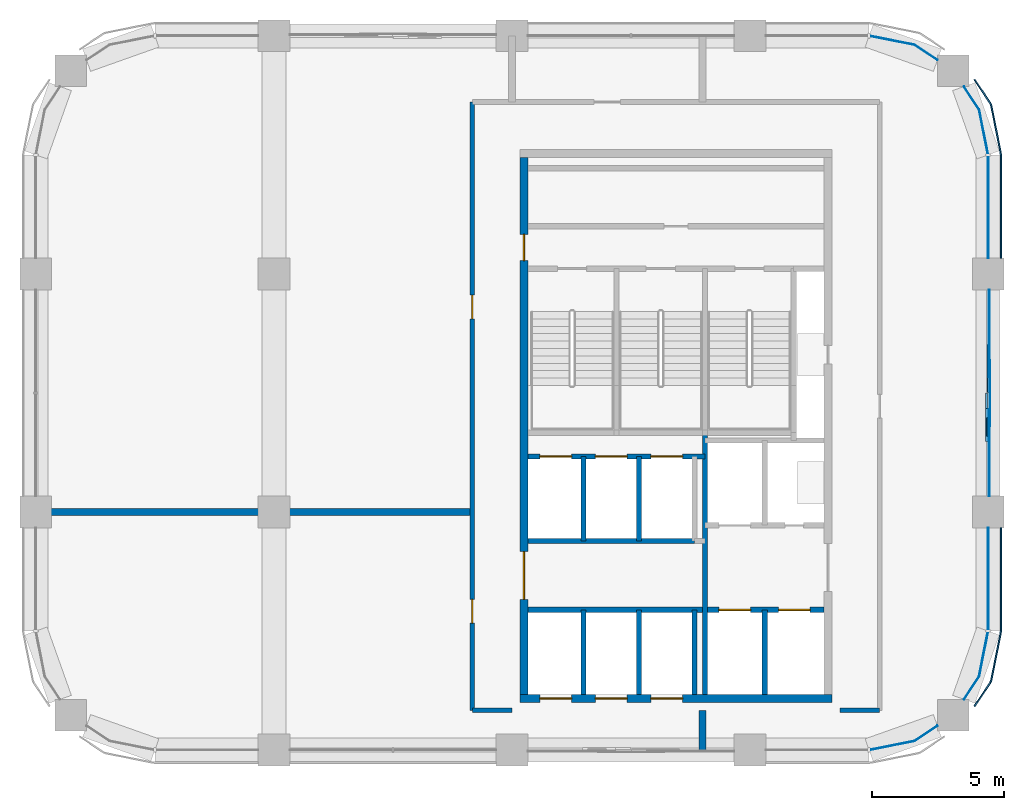
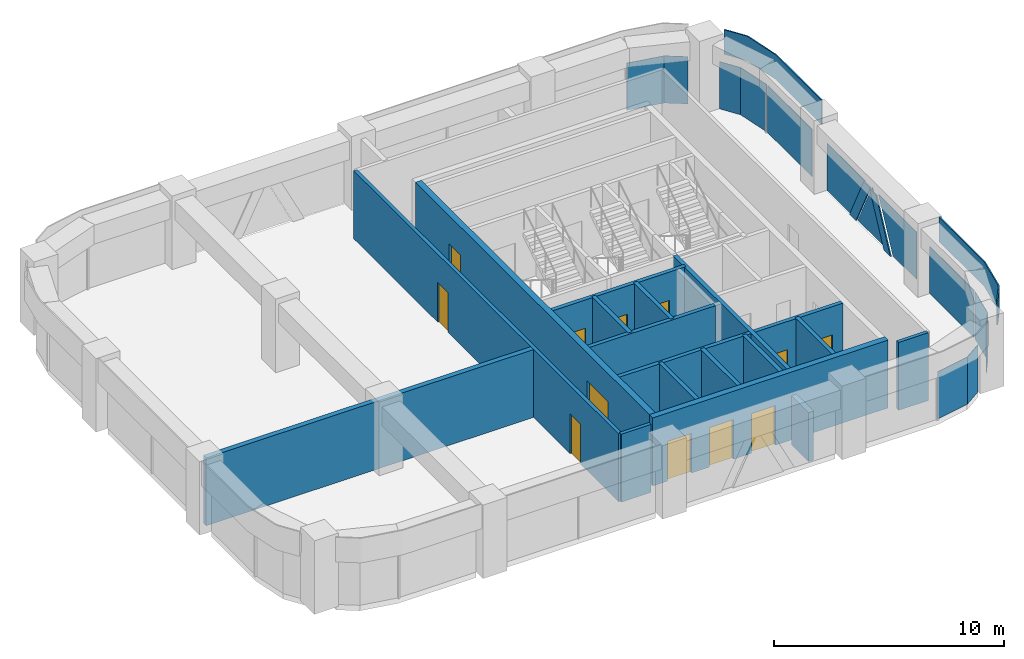
# One storey, part 6 of 9: 17 walls, 13 plates, 12 doors, 12 openings, 5 elements without a shape of their own.
"""IFC4 building model written with IfcOpenShell, lengths in metres."""

from ifc_helpers import new_model, si_unit, direction, frame, frame_2d, origin, origin_2d, place, context, subcontext, project, spatial, polyline, rectangle, outline, extrude, material, layer, layer_set, type_object, element, fill, aggregate, save


model = new_model("IFC4")

# Units and contexts
model_context = context("Model", 3, precision=1e-05, world=origin(), true_north=direction((0.0, 1.0)))
body_context = subcontext(model_context, "Body", "Model", "MODEL_VIEW")
ifc_project = project(units=[si_unit("LENGTHUNIT", "METRE"), si_unit("AREAUNIT", "SQUARE_METRE"), si_unit("VOLUMEUNIT", "CUBIC_METRE"), si_unit("PLANEANGLEUNIT", "RADIAN"), si_unit("MASSUNIT", "GRAM", prefix="KILO")], contexts=[model_context])

# Site, building, storey
site_placement = place(None, origin())
site = spatial("IfcSite", under=ifc_project, at=site_placement, CompositionType="ELEMENT")
building_placement = place(site_placement, origin())
building = spatial("IfcBuilding", under=site, at=building_placement, Name="Tessera Arch", CompositionType="ELEMENT")
storey_placement = place(building_placement, frame((0.0, 0.0, 305.10009765625)))
storey = spatial("IfcBuildingStorey", under=building, at=storey_placement, Name="L73", CompositionType="ELEMENT", Elevation=305.10009765625)

# Curtain wall, plates
ifc_material_1 = material(Name="CW2 curtain wall")
curtain_wall_type_1 = type_object("IfcCurtainWallType", Name="CW2 curtain wall", PredefinedType="NOTDEFINED", material=ifc_material_1)
curtain_wall_1_placement = place(storey_placement, origin())
curtain_wall_1 = element("IfcCurtainWall", 1, at=curtain_wall_1_placement, inside=storey, type_object=curtain_wall_type_1, Name="CW2 curtain wall E54.27/1 L73", PredefinedType="NOTDEFINED")
ifc_material_2 = material(Name="Clear low-e glass", Category="glass")
ifc_material_3 = material(Name="Clear low-e glass", Category="glass")
ifc_layer_1 = layer(ifc_material_3, 0.028076171875)
ifc_layer_set_1 = layer_set([ifc_layer_1], Name="CW2 glass panel")
plate_type_1 = type_object("IfcPlateType", Name="CW2 glass panel", PredefinedType="CURTAIN_PANEL", material=ifc_layer_set_1)
plate_1_placement = place(storey_placement, frame((54.0, 47.530029296875, 0.0), z_axis=(0.0, 0.0, 1.0), x_axis=(0.0, 1.0, 0.0)))
plate_1 = element("IfcPlate", 2, at=plate_1_placement, type_object=plate_type_1, material=ifc_material_2, Name="CW2 glass panel E54.27/1 1.1", PredefinedType="CURTAIN_PANEL", context=body_context, shape_type="SweptSolid", body=[
    extrude(rectangle(XDim=3.860107421875, YDim=0.028076171875, at=origin_2d()), origin(), (0.0, 0.0, 1.0), 2.5),
])
plate_2_placement = place(storey_placement, origin())
plate_2 = element("IfcPlate", 3, at=plate_2_placement, type_object=plate_type_1, material=ifc_material_2, Name="CW2 curved glass panel E54.27/1 2.1", PredefinedType="CURTAIN_PANEL", context=body_context, shape_type="SweptSolid", body=[
    extrude(outline(polyline([(53.644287109375, 51.216552734375), (53.978515625, 49.53662109375), (54.005859375, 49.5419921875), (53.670654296875, 51.2275390625), (53.094482421875, 52.08984375), (53.0712890625, 52.07421875), (53.644287109375, 51.216552734375)])), origin(), (0.0, 0.0, 1.0), 2.5),
])

# Curtain wall, plate
curtain_wall_2_placement = place(storey_placement, origin())
curtain_wall_2 = element("IfcCurtainWall", 4, at=curtain_wall_2_placement, inside=storey, type_object=curtain_wall_type_1, Name="CW2 curtain wall N54.18/0 L73", PredefinedType="NOTDEFINED")
plate_3_placement = place(storey_placement, origin())
plate_3 = element("IfcPlate", 5, at=plate_3_placement, type_object=plate_type_1, material=ifc_material_2, Name="CW2 curved glass panel N54.18/0 2.1", PredefinedType="CURTAIN_PANEL", context=body_context, shape_type="SweptSolid", body=[
    extrude(outline(polyline([(51.216552734375, 53.644287109375), (52.07421875, 53.0712890625), (52.08984375, 53.094482421875), (51.2275390625, 53.670654296875), (49.5419921875, 54.005859375), (49.53662109375, 53.978515625), (51.216552734375, 53.644287109375)])), origin(), (0.0, 0.0, 1.0), 2.5),
])
aggregate(curtain_wall_2, [plate_3])

curtain_wall_3_placement = place(storey_placement, origin())
curtain_wall_3 = element("IfcCurtainWall", 6, at=curtain_wall_3_placement, inside=storey, type_object=curtain_wall_type_1, Name="CW2 curtain wall S27.18/3 L73", PredefinedType="NOTDEFINED")
plate_4_placement = place(storey_placement, origin())
plate_4 = element("IfcPlate", 7, at=plate_4_placement, type_object=plate_type_1, material=ifc_material_2, Name="CW2 curved glass panel S27.18/3 2.1", PredefinedType="CURTAIN_PANEL", context=body_context, shape_type="SweptSolid", body=[
    extrude(outline(polyline([(51.216552734375, 27.355712890625), (49.53662109375, 27.021484375), (49.5419921875, 26.994140625), (51.2275390625, 27.329345703125), (52.08984375, 27.905517578125), (52.07421875, 27.9287109375), (51.216552734375, 27.355712890625)])), origin(), (0.0, 0.0, 1.0), 2.5),
])
aggregate(curtain_wall_3, [plate_4])

# Curtain wall, plates
curtain_wall_4_placement = place(storey_placement, origin())
curtain_wall_4 = element("IfcCurtainWall", 8, at=curtain_wall_4_placement, inside=storey, type_object=curtain_wall_type_1, Name="CW2 curtain wall E54.27/2 L73", PredefinedType="NOTDEFINED")
plate_5_placement = place(storey_placement, frame((54.0, 33.469970703125, 0.0), z_axis=(0.0, 0.0, 1.0), x_axis=(0.0, 1.0, 0.0)))
plate_5 = element("IfcPlate", 9, at=plate_5_placement, type_object=plate_type_1, material=ifc_material_2, Name="CW2 glass panel E54.27/2 1.1", PredefinedType="CURTAIN_PANEL", context=body_context, shape_type="SweptSolid", body=[
    extrude(rectangle(XDim=3.860107421875, YDim=0.028076171875, at=origin_2d()), origin(), (0.0, 0.0, 1.0), 2.5),
])
plate_6_placement = place(storey_placement, origin())
plate_6 = element("IfcPlate", 10, at=plate_6_placement, type_object=plate_type_1, material=ifc_material_2, Name="CW2 curved glass panel E54.27/2 2.1", PredefinedType="CURTAIN_PANEL", context=body_context, shape_type="SweptSolid", body=[
    extrude(outline(polyline([(53.644287109375, 29.783447265625), (53.0712890625, 28.92578125), (53.094482421875, 28.91015625), (53.670654296875, 29.7724609375), (54.005859375, 31.4580078125), (53.978515625, 31.46337890625), (53.644287109375, 29.783447265625)])), origin(), (0.0, 0.0, 1.0), 2.5),
])

# Plate
ifc_material_4 = material(Name="Pale anodised aluminium panel", Category="aluminium")
ifc_layer_2 = layer(ifc_material_4, 0.06005859375)
ifc_layer_set_2 = layer_set([ifc_layer_2], Name="CW2 spandrel panel")
plate_type_2 = type_object("IfcPlateType", Name="CW2 spandrel panel", PredefinedType="CURTAIN_PANEL", material=ifc_layer_set_2)
plate_7_placement = place(storey_placement, frame((0.0, 0.0, 2.599853515625)))
plate_7 = element("IfcPlate", 11, at=plate_7_placement, type_object=plate_type_2, Name="CW2 spandrel panel E54.27/1", PredefinedType="CURTAIN_PANEL", context=body_context, shape_type="SweptSolid", body=[
    extrude(outline(polyline([(54.449951171875, 49.499267578125), (54.449951171875, 45.60009765625), (54.510009765625, 45.60009765625), (54.510009765625, 49.500732421875), (54.507568359375, 49.550048828125), (54.500244140625, 49.598876953125), (54.157470703125, 51.322265625), (54.1455078125, 51.3701171875), (54.128662109375, 51.417236328125), (54.107421875, 51.462646484375), (54.08203125, 51.5048828125), (53.5068359375, 52.365234375), (53.45703125, 52.33203125), (54.03125, 51.47265625), (54.054443359375, 51.434326171875), (54.0732421875, 51.394287109375), (54.088134765625, 51.352783203125), (54.09912109375, 51.30908203125), (54.441162109375, 49.588623046875), (54.44775390625, 49.544189453125), (54.449951171875, 49.499267578125)])), origin(), (0.0, 0.0, 1.0), 1.300048828125),
])

aggregate(curtain_wall_1, [plate_1, plate_2, plate_7])

plate_8_placement = place(storey_placement, frame((0.0, 0.0, 2.599853515625)))
plate_8 = element("IfcPlate", 12, at=plate_8_placement, type_object=plate_type_2, Name="CW2 spandrel panel E54.27/2", PredefinedType="CURTAIN_PANEL", context=body_context, shape_type="SweptSolid", body=[
    extrude(outline(polyline([(54.03125, 29.52734375), (53.45703125, 28.66796875), (53.5068359375, 28.634765625), (54.08203125, 29.4951171875), (54.107421875, 29.537353515625), (54.128662109375, 29.582763671875), (54.1455078125, 29.6298828125), (54.157470703125, 29.677734375), (54.500244140625, 31.401123046875), (54.507568359375, 31.449951171875), (54.510009765625, 31.499267578125), (54.510009765625, 35.39990234375), (54.449951171875, 35.39990234375), (54.449951171875, 31.500732421875), (54.44775390625, 31.455810546875), (54.441162109375, 31.411376953125), (54.09912109375, 29.69091796875), (54.088134765625, 29.647216796875), (54.0732421875, 29.605712890625), (54.054443359375, 29.565673828125), (54.03125, 29.52734375)])), origin(), (0.0, 0.0, 1.0), 1.300048828125),
])

aggregate(curtain_wall_4, [plate_5, plate_6, plate_8])

# Curtain wall, plates
ifc_material_5 = material(Name="CW3 curtain wall")
curtain_wall_type_2 = type_object("IfcCurtainWallType", Name="CW3 curtain wall", PredefinedType="NOTDEFINED", material=ifc_material_5)
curtain_wall_5_placement = place(storey_placement, origin())
curtain_wall_5 = element("IfcCurtainWall", 13, at=curtain_wall_5_placement, inside=storey, type_object=curtain_wall_type_2, Name="CW3 curtain wall E54.27/0 L73", PredefinedType="NOTDEFINED")
ifc_material_6 = material(Name="Pale anodised aluminium panel", Category="aluminium")
ifc_layer_3 = layer(ifc_material_6, 0.06005859375)
ifc_layer_set_3 = layer_set([ifc_layer_3], Name="CW3 diagonal panel")
plate_type_3 = type_object("IfcPlateType", Name="CW3 diagonal panel", PredefinedType="CURTAIN_PANEL", material=ifc_layer_set_3)
plate_9_placement = place(storey_placement, frame((54.030029296875, 41.082275390625, 2.5), z_axis=(1.0, 0.0, 0.0), x_axis=(0.0, -1.0, 0.0)))
plate_9 = element("IfcPlate", 14, at=plate_9_placement, type_object=plate_type_3, Name="CW3 diagonal panel E54.27/0 1", PredefinedType="CURTAIN_PANEL", context=body_context, shape_type="SweptSolid", body=[
    extrude(outline(polyline([(0.0, 0.0), (0.564453125, 0.0), (-0.685546875, 2.5), (-1.25, 2.5), (0.0, 0.0)])), origin(), (0.0, 0.0, -1.0), 0.06005859375),
])
plate_10_placement = place(storey_placement, frame((53.969970703125, 40.482177734375, 2.5), z_axis=(1.0, 0.0, 0.0), x_axis=(0.0, -1.0, 0.0)))
plate_10 = element("IfcPlate", 15, at=plate_10_placement, type_object=plate_type_3, Name="CW3 diagonal panel E54.27/0 2", PredefinedType="CURTAIN_PANEL", context=body_context, shape_type="SweptSolid", body=[
    extrude(outline(polyline([(0.0, 0.0), (0.564453125, 0.0), (1.814453125, 2.5), (1.25, 2.5), (0.0, 0.0)])), origin(), (0.0, 0.0, -1.0), 0.06005859375),
])
ifc_material_7 = material(Name="Clear low-e glass", Category="glass")
ifc_layer_4 = layer(ifc_material_7, 0.028076171875)
ifc_layer_set_4 = layer_set([ifc_layer_4], Name="CW3 glass panel")
plate_type_4 = type_object("IfcPlateType", Name="CW3 glass panel", PredefinedType="CURTAIN_PANEL", material=ifc_layer_set_4)
plate_11_placement = place(storey_placement, frame((54.05810546875, 36.60009765625, 0.0), z_axis=(1.0, 0.0, 0.0), x_axis=(0.0, 1.0, 0.0)))
plate_11 = element("IfcPlate", 16, at=plate_11_placement, type_object=plate_type_4, material=ifc_material_2, Name="CW3 triangulated glass panel E54.27/0 1", PredefinedType="CURTAIN_PANEL", context=body_context, shape_type="SweptSolid", body=[
    extrude(outline(polyline([(0.0, 0.0), (2.067626953125, 0.0), (3.317626953125, 2.5), (0.0, 2.5), (0.0, 0.0)])), origin(), (0.0, 0.0, -1.0), 0.028076171875),
])
plate_12_placement = place(storey_placement, frame((54.0859375, 40.517822265625, 2.5), z_axis=(1.0, 0.0, 0.0), x_axis=(0.0, -1.0, 0.0)))
plate_12 = element("IfcPlate", 17, at=plate_12_placement, type_object=plate_type_4, material=ifc_material_2, Name="CW3 triangulated glass panel E54.27/0 2", PredefinedType="CURTAIN_PANEL", context=body_context, shape_type="SweptSolid", body=[
    extrude(outline(polyline([(0.0, 0.0), (0.03564453125, 0.0), (1.28564453125, 2.5), (-1.25, 2.5), (0.0, 0.0)])), origin(), (0.0, 0.0, -1.0), 0.028076171875),
])
plate_13_placement = place(storey_placement, frame((54.05810546875, 44.39990234375, 2.5), z_axis=(1.0, 0.0, 0.0), x_axis=(0.0, -1.0, 0.0)))
plate_13 = element("IfcPlate", 18, at=plate_13_placement, type_object=plate_type_4, material=ifc_material_2, Name="CW3 triangulated glass panel E54.27/0 3", PredefinedType="CURTAIN_PANEL", context=body_context, shape_type="SweptSolid", body=[
    extrude(outline(polyline([(0.0, 0.0), (3.317626953125, 0.0), (2.067626953125, 2.5), (0.0, 2.5), (0.0, 0.0)])), origin(), (0.0, 0.0, -1.0), 0.028076171875),
])
aggregate(curtain_wall_5, [plate_11, plate_12, plate_13, plate_9, plate_10])

# Wall, openings, doors
ifc_material_8 = material(Name="Concrete C50/60", Category="concrete")
ifc_layer_5 = layer(ifc_material_8, 0.300048828125)
ifc_layer_set_5 = layer_set([ifc_layer_5], Name="Core shell wall 300 C50-60")
wall_type_1 = type_object("IfcWallType", Name="Core shell wall 300 C50-60", PredefinedType="SHEAR", material=ifc_layer_set_5)
wall_1_placement = place(storey_placement, frame((36.300048828125, 28.949951171875, 0.0), z_axis=(0.0, 0.0, 1.0), x_axis=(1.0, 0.0, 0.0)))
wall_1 = element("IfcWall", 19, at=wall_1_placement, inside=storey, type_object=wall_type_1, Name="L73 C1 core wall S", PredefinedType="SHEAR", context=body_context, shape_type="SweptSolid", body=[
    extrude(rectangle(XDim=11.800048828125, YDim=0.300048828125, at=frame_2d((5.89990234375, 0.0))), origin(), (0.0, 0.0, 1.0), 3.599853515625),
])
opening_1_placement = place(wall_1_placement, frame((0.75, 0.0, 0.0)))
opening_1 = element("IfcOpeningElement", 20, at=opening_1_placement, cuts=wall_1, Name="Opening L73-C01", PredefinedType="OPENING", context=body_context, shape_type="SweptSolid", body=[
    extrude(rectangle(XDim=1.199951171875, YDim=2.10009765625, at=frame_2d((0.60009765625, 1.050048828125))), frame((0.0, 0.159912109375, 0.0), z_axis=(0.0, -1.0, 0.0), x_axis=(1.0, 0.0, 0.0)), (0.0, 0.0, 1.0), 0.320068359375),
])
opening_2_placement = place(wall_1_placement, frame((2.85009765625, 0.0, 0.0)))
opening_2 = element("IfcOpeningElement", 21, at=opening_2_placement, cuts=wall_1, Name="Opening L73-C03", PredefinedType="OPENING", context=body_context, shape_type="SweptSolid", body=[
    extrude(rectangle(XDim=1.199951171875, YDim=2.10009765625, at=frame_2d((0.60009765625, 1.050048828125))), frame((0.0, 0.159912109375, 0.0), z_axis=(0.0, -1.0, 0.0), x_axis=(1.0, 0.0, 0.0)), (0.0, 0.0, 1.0), 0.320068359375),
])
opening_3_placement = place(wall_1_placement, frame((4.949951171875, 0.0, 0.0)))
opening_3 = element("IfcOpeningElement", 22, at=opening_3_placement, cuts=wall_1, Name="Opening L73-C05", PredefinedType="OPENING", context=body_context, shape_type="SweptSolid", body=[
    extrude(rectangle(XDim=1.199951171875, YDim=2.10009765625, at=frame_2d((0.60009765625, 1.050048828125))), frame((0.0, 0.159912109375, 0.0), z_axis=(0.0, -1.0, 0.0), x_axis=(1.0, 0.0, 0.0)), (0.0, 0.0, 1.0), 0.320068359375),
])
ifc_material_9 = material(Name="Stainless steel AISI 304", Category="steel")
door_type_1 = type_object("IfcDoorType", Name="Sliding landing door 1200 x 2100", OperationType="SLIDING_TO_LEFT", PredefinedType="DOOR", material=ifc_material_9)
door_1_placement = place(opening_1_placement, origin())
door_1 = element("IfcDoor", 23, at=door_1_placement, inside=storey, type_object=door_type_1, Name="L73 HR1 lift landing door C01 type LD", OperationType="SLIDING_TO_LEFT", OverallHeight=2.10009765625, OverallWidth=1.199951171875, PredefinedType="DOOR", context=body_context, shape_type="SweptSolid", body=[
    extrude(rectangle(XDim=1.199951171875, YDim=2.10009765625, at=frame_2d((0.60009765625, 1.050048828125))), frame((0.0, 0.02490234375, 0.0), z_axis=(0.0, -1.0, 0.0), x_axis=(1.0, 0.0, 0.0)), (0.0, 0.0, 1.0), 0.050048828125),
])
fill(opening_1, door_1)
door_2_placement = place(opening_2_placement, origin())
door_2 = element("IfcDoor", 24, at=door_2_placement, inside=storey, type_object=door_type_1, Name="L73 HR2 lift landing door C03 type LD", OperationType="SLIDING_TO_LEFT", OverallHeight=2.10009765625, OverallWidth=1.199951171875, PredefinedType="DOOR", context=body_context, shape_type="SweptSolid", body=[
    extrude(rectangle(XDim=1.199951171875, YDim=2.10009765625, at=frame_2d((0.60009765625, 1.050048828125))), frame((0.0, 0.02490234375, 0.0), z_axis=(0.0, -1.0, 0.0), x_axis=(1.0, 0.0, 0.0)), (0.0, 0.0, 1.0), 0.050048828125),
])
fill(opening_2, door_2)
door_3_placement = place(opening_3_placement, origin())
door_3 = element("IfcDoor", 25, at=door_3_placement, inside=storey, type_object=door_type_1, Name="L73 HR3 lift landing door C05 type LD", OperationType="SLIDING_TO_LEFT", OverallHeight=2.10009765625, OverallWidth=1.199951171875, PredefinedType="DOOR", context=body_context, shape_type="SweptSolid", body=[
    extrude(rectangle(XDim=1.199951171875, YDim=2.10009765625, at=frame_2d((0.60009765625, 1.050048828125))), frame((0.0, 0.02490234375, 0.0), z_axis=(0.0, -1.0, 0.0), x_axis=(1.0, 0.0, 0.0)), (0.0, 0.0, 1.0), 0.050048828125),
])
fill(opening_3, door_3)

wall_2_placement = place(storey_placement, frame((36.449951171875, 29.10009765625, 0.0), z_axis=(0.0, 0.0, 1.0), x_axis=(0.0, 1.0, 0.0)))
wall_2 = element("IfcWall", 26, at=wall_2_placement, inside=storey, type_object=wall_type_1, Name="L73 C1 core wall W", PredefinedType="SHEAR", context=body_context, shape_type="SweptSolid", body=[
    extrude(rectangle(XDim=20.2998046875, YDim=0.300048828125, at=frame_2d((10.14990234375, 0.0))), origin(), (0.0, 0.0, 1.0), 3.599853515625),
])
opening_4_placement = place(wall_2_placement, frame((3.60009765625, 0.0, 0.0)))
opening_4 = element("IfcOpeningElement", 27, at=opening_4_placement, cuts=wall_2, Name="Opening L73-C10", PredefinedType="OPENING", context=body_context, shape_type="SweptSolid", body=[
    extrude(rectangle(XDim=1.800048828125, YDim=2.10009765625, at=frame_2d((0.89990234375, 1.050048828125))), frame((0.0, 0.159912109375, 0.0), z_axis=(0.0, -1.0, 0.0), x_axis=(1.0, 0.0, 0.0)), (0.0, 0.0, 1.0), 0.320068359375),
])
opening_5_placement = place(wall_2_placement, frame((16.39990234375, 0.0, 0.0)))
opening_5 = element("IfcOpeningElement", 28, at=opening_5_placement, cuts=wall_2, Name="Opening L73-C17", PredefinedType="OPENING", context=body_context, shape_type="SweptSolid", body=[
    extrude(rectangle(XDim=1.0, YDim=2.10009765625, at=frame_2d((0.5, 1.050048828125))), frame((0.0, 0.159912109375, 0.0), z_axis=(0.0, -1.0, 0.0), x_axis=(1.0, 0.0, 0.0)), (0.0, 0.0, 1.0), 0.320068359375),
])
ifc_material_10 = material(Name="Steel door leaf", Category="steel")
door_type_2 = type_object("IfcDoorType", Name="Corridor door FD60 1000 x 2100", OperationType="SINGLE_SWING_LEFT", PredefinedType="DOOR", material=ifc_material_10)
door_4_placement = place(opening_5_placement, origin())
door_4 = element("IfcDoor", 29, at=door_4_placement, inside=storey, type_object=door_type_2, Name="L73 C1 door 17 C17 type D12", OperationType="SINGLE_SWING_RIGHT", OverallHeight=2.10009765625, OverallWidth=1.0, PredefinedType="DOOR", context=body_context, shape_type="SweptSolid", body=[
    extrude(rectangle(XDim=1.0, YDim=2.10009765625, at=frame_2d((0.5, 1.050048828125))), frame((0.0, 0.02490234375, 0.0), z_axis=(0.0, -1.0, 0.0), x_axis=(1.0, 0.0, 0.0)), (0.0, 0.0, 1.0), 0.050048828125),
])
fill(opening_5, door_4)
ifc_material_11 = material(Name="Glazed steel door leaf", Category="steel")
door_type_3 = type_object("IfcDoorType", Name="Lobby double door FD30S 1800 x 2100", OperationType="DOUBLE_DOOR_SINGLE_SWING", PredefinedType="DOOR", material=ifc_material_11)
door_5_placement = place(opening_4_placement, origin())
door_5 = element("IfcDoor", 30, at=door_5_placement, inside=storey, type_object=door_type_3, Name="L73 C1 door 10 C10 type D06", OperationType="DOUBLE_DOOR_SINGLE_SWING", OverallHeight=2.10009765625, OverallWidth=1.800048828125, PredefinedType="DOOR", context=body_context, shape_type="SweptSolid", body=[
    extrude(rectangle(XDim=1.800048828125, YDim=2.10009765625, at=frame_2d((0.89990234375, 1.050048828125))), frame((0.0, 0.02490234375, 0.0), z_axis=(0.0, -1.0, 0.0), x_axis=(1.0, 0.0, 0.0)), (0.0, 0.0, 1.0), 0.050048828125),
])
fill(opening_4, door_5)

# Walls
ifc_material_12 = material(Name="Gypsum board on deep steel stud with mineral wool", Category="steel")
ifc_layer_6 = layer(ifc_material_12, 0.175048828125)
ifc_layer_set_6 = layer_set([ifc_layer_6], Name="Corridor wall 175 EI 60")
wall_type_2 = type_object("IfcWallType", Name="Corridor wall 175 EI 60", PredefinedType="PARTITIONING", material=ifc_layer_set_6)
for number, where, z_axis, x_axis, name in (
    (31, (34.5, 28.5, 0.0), (0.0, 0.0, 1.0), (1.0, 0.0, 0.0), "L73 partition 1"),
    (32, (48.39990234375, 28.5, 0.0), (0.0, 0.0, 1.0), (1.0, 0.0, 0.0), "L73 partition 2"),
):
    element("IfcWall", number, at=place(storey_placement, frame(where, z_axis=z_axis, x_axis=x_axis)), inside=storey, type_object=wall_type_2, Name=name, PredefinedType="PARTITIONING", context=body_context, shape_type="SweptSolid", body=[
        extrude(rectangle(XDim=1.5, YDim=0.175048828125, at=frame_2d((0.75, 0.0))), origin(), (0.0, 0.0, 1.0), 3.599853515625),
    ])

# Wall, openings, doors
wall_3_placement = place(storey_placement, frame((34.5, 28.5, 0.0), z_axis=(0.0, 0.0, 1.0), x_axis=(0.0, 1.0, 0.0)))
wall_3 = element("IfcWall", 33, at=wall_3_placement, inside=storey, type_object=wall_type_2, Name="L73 partition 4", PredefinedType="PARTITIONING", context=body_context, shape_type="SweptSolid", body=[
    extrude(rectangle(XDim=23.0, YDim=0.175048828125, at=frame_2d((11.5, 0.0))), origin(), (0.0, 0.0, 1.0), 3.599853515625),
])
opening_6_placement = place(wall_3_placement, frame((3.300048828125, 0.0, 0.0)))
opening_6 = element("IfcOpeningElement", 34, at=opening_6_placement, cuts=wall_3, Name="Opening L73-D001", PredefinedType="OPENING", context=body_context, shape_type="SweptSolid", body=[
    extrude(rectangle(XDim=0.89990234375, YDim=2.10009765625, at=frame_2d((0.449951171875, 1.050048828125))), frame((0.0, 0.097412109375, 0.0), z_axis=(0.0, -1.0, 0.0), x_axis=(1.0, 0.0, 0.0)), (0.0, 0.0, 1.0), 0.195068359375),
])
opening_7_placement = place(wall_3_placement, frame((14.800048828125, 0.0, 0.0)))
opening_7 = element("IfcOpeningElement", 35, at=opening_7_placement, cuts=wall_3, Name="Opening L73-D003", PredefinedType="OPENING", context=body_context, shape_type="SweptSolid", body=[
    extrude(rectangle(XDim=0.89990234375, YDim=2.10009765625, at=frame_2d((0.449951171875, 1.050048828125))), frame((0.0, 0.097412109375, 0.0), z_axis=(0.0, -1.0, 0.0), x_axis=(1.0, 0.0, 0.0)), (0.0, 0.0, 1.0), 0.195068359375),
])
ifc_material_13 = material(Name="Timber door leaf", Category="wood")
door_type_4 = type_object("IfcDoorType", Name="Room door 900 x 2100", OperationType="SINGLE_SWING_LEFT", PredefinedType="DOOR", material=ifc_material_13)
door_6_placement = place(opening_6_placement, origin())
door_6 = element("IfcDoor", 36, at=door_6_placement, inside=storey, type_object=door_type_4, Name="L73 door D001 type D01", OperationType="SINGLE_SWING_LEFT", OverallHeight=2.10009765625, OverallWidth=0.89990234375, PredefinedType="DOOR", context=body_context, shape_type="SweptSolid", body=[
    extrude(rectangle(XDim=0.89990234375, YDim=2.10009765625, at=frame_2d((0.449951171875, 1.050048828125))), frame((0.0, 0.02490234375, 0.0), z_axis=(0.0, -1.0, 0.0), x_axis=(1.0, 0.0, 0.0)), (0.0, 0.0, 1.0), 0.050048828125),
])
fill(opening_6, door_6)
door_7_placement = place(opening_7_placement, origin())
door_7 = element("IfcDoor", 37, at=door_7_placement, inside=storey, type_object=door_type_4, Name="L73 door D003 type D01", OperationType="SINGLE_SWING_LEFT", OverallHeight=2.10009765625, OverallWidth=0.89990234375, PredefinedType="DOOR", context=body_context, shape_type="SweptSolid", body=[
    extrude(rectangle(XDim=0.89990234375, YDim=2.10009765625, at=frame_2d((0.449951171875, 1.050048828125))), frame((0.0, 0.02490234375, 0.0), z_axis=(0.0, -1.0, 0.0), x_axis=(1.0, 0.0, 0.0)), (0.0, 0.0, 1.0), 0.050048828125),
])
fill(opening_7, door_7)

# Walls
ifc_material_14 = material(Name="Double gypsum board on twin steel stud with acoustic mineral wool", Category="steel")
ifc_layer_7 = layer(ifc_material_14, 0.25)
ifc_layer_set_7 = layer_set([ifc_layer_7], Name="Party wall 250 EI 60")
wall_type_3 = type_object("IfcWallType", Name="Party wall 250 EI 60", PredefinedType="PARTITIONING", material=ifc_layer_set_7)
wall_4_placement = place(storey_placement, frame((18.0, 36.0, 0.0), z_axis=(0.0, 0.0, 1.0), x_axis=(1.0, 0.0, 0.0)))
element("IfcWall", 38, at=wall_4_placement, inside=storey, type_object=wall_type_3, Name="L73 partition 6", PredefinedType="PARTITIONING", context=body_context, shape_type="SweptSolid", body=[
    extrude(rectangle(XDim=16.5, YDim=0.25, at=frame_2d((8.25, 0.0))), origin(), (0.0, 0.0, 1.0), 3.599853515625),
])
wall_5_placement = place(storey_placement, frame((43.199951171875, 27.0, 0.0), z_axis=(0.0, 0.0, 1.0), x_axis=(0.0, 1.0, 0.0)))
element("IfcWall", 39, at=wall_5_placement, inside=storey, type_object=wall_type_3, Name="L73 partition 8", PredefinedType="PARTITIONING", context=body_context, shape_type="SweptSolid", body=[
    extrude(rectangle(XDim=1.5, YDim=0.25, at=frame_2d((0.75, 0.0))), origin(), (0.0, 0.0, 1.0), 2.599853515625),
])
ifc_material_15 = material(Name="Concrete C40/50", Category="concrete")
ifc_layer_8 = layer(ifc_material_15, 0.199951171875)
ifc_layer_set_8 = layer_set([ifc_layer_8], Name="Shaft wall 200 EI 120")
wall_type_4 = type_object("IfcWallType", Name="Shaft wall 200 EI 120", PredefinedType="SOLIDWALL", material=ifc_layer_set_8)
wall_6_placement = place(storey_placement, frame((38.699951171875, 29.10009765625, 0.0), z_axis=(0.0, 0.0, 1.0), x_axis=(0.0, 1.0, 0.0)))
element("IfcWall", 40, at=wall_6_placement, inside=storey, type_object=wall_type_4, Name="L73 C1 shaft wall 1", PredefinedType="SOLIDWALL", context=body_context, shape_type="SweptSolid", body=[
    extrude(rectangle(XDim=3.199951171875, YDim=0.199951171875, at=frame_2d((1.60009765625, 0.0))), origin(), (0.0, 0.0, 1.0), 3.599853515625),
])
wall_7_placement = place(storey_placement, frame((38.699951171875, 34.89990234375, 0.0), z_axis=(0.0, 0.0, 1.0), x_axis=(0.0, 1.0, 0.0)))
element("IfcWall", 41, at=wall_7_placement, inside=storey, type_object=wall_type_4, Name="L73 C1 shaft wall 2", PredefinedType="SOLIDWALL", context=body_context, shape_type="SweptSolid", body=[
    extrude(rectangle(XDim=3.2001953125, YDim=0.199951171875, at=frame_2d((1.60009765625, 0.0))), origin(), (0.0, 0.0, 1.0), 3.599853515625),
])
wall_8_placement = place(storey_placement, frame((40.800048828125, 29.10009765625, 0.0), z_axis=(0.0, 0.0, 1.0), x_axis=(0.0, 1.0, 0.0)))
element("IfcWall", 42, at=wall_8_placement, inside=storey, type_object=wall_type_4, Name="L73 C1 shaft wall 5", PredefinedType="SOLIDWALL", context=body_context, shape_type="SweptSolid", body=[
    extrude(rectangle(XDim=3.199951171875, YDim=0.199951171875, at=frame_2d((1.60009765625, 0.0))), origin(), (0.0, 0.0, 1.0), 3.599853515625),
])
wall_9_placement = place(storey_placement, frame((40.800048828125, 34.89990234375, 0.0), z_axis=(0.0, 0.0, 1.0), x_axis=(0.0, 1.0, 0.0)))
element("IfcWall", 43, at=wall_9_placement, inside=storey, type_object=wall_type_4, Name="L73 C1 shaft wall 6", PredefinedType="SOLIDWALL", context=body_context, shape_type="SweptSolid", body=[
    extrude(rectangle(XDim=3.2001953125, YDim=0.199951171875, at=frame_2d((1.60009765625, 0.0))), origin(), (0.0, 0.0, 1.0), 3.599853515625),
])
wall_10_placement = place(storey_placement, frame((42.89990234375, 29.10009765625, 0.0), z_axis=(0.0, 0.0, 1.0), x_axis=(0.0, 1.0, 0.0)))
element("IfcWall", 44, at=wall_10_placement, inside=storey, type_object=wall_type_4, Name="L73 C1 shaft wall 7", PredefinedType="SOLIDWALL", context=body_context, shape_type="SweptSolid", body=[
    extrude(rectangle(XDim=3.199951171875, YDim=0.199951171875, at=frame_2d((1.60009765625, 0.0))), origin(), (0.0, 0.0, 1.0), 3.599853515625),
])
wall_11_placement = place(storey_placement, frame((43.300048828125, 29.10009765625, 0.0), z_axis=(0.0, 0.0, 1.0), x_axis=(0.0, 1.0, 0.0)))
element("IfcWall", 45, at=wall_11_placement, inside=storey, type_object=wall_type_4, Name="L73 C1 shaft wall 9", PredefinedType="SOLIDWALL", context=body_context, shape_type="SweptSolid", body=[
    extrude(rectangle(XDim=9.89990234375, YDim=0.199951171875, at=frame_2d((4.949951171875, 0.0))), origin(), (0.0, 0.0, 1.0), 3.599853515625),
])
wall_12_placement = place(storey_placement, frame((45.550048828125, 29.10009765625, 0.0), z_axis=(0.0, 0.0, 1.0), x_axis=(0.0, 1.0, 0.0)))
element("IfcWall", 46, at=wall_12_placement, inside=storey, type_object=wall_type_4, Name="L73 C1 shaft wall 12", PredefinedType="SOLIDWALL", context=body_context, shape_type="SweptSolid", body=[
    extrude(rectangle(XDim=3.199951171875, YDim=0.199951171875, at=frame_2d((1.60009765625, 0.0))), origin(), (0.0, 0.0, 1.0), 3.599853515625),
])

# Wall, openings, doors
wall_13_placement = place(storey_placement, frame((36.60009765625, 32.300048828125, 0.0), z_axis=(0.0, 0.0, 1.0), x_axis=(1.0, 0.0, 0.0)))
wall_13 = element("IfcWall", 47, at=wall_13_placement, inside=storey, type_object=wall_type_4, Name="L73 C1 shaft wall 17", PredefinedType="SOLIDWALL", context=body_context, shape_type="SweptSolid", body=[
    extrude(rectangle(XDim=11.199951171875, YDim=0.199951171875, at=frame_2d((5.60009765625, 0.0))), origin(), (0.0, 0.0, 1.0), 3.599853515625),
])
opening_8_placement = place(wall_13_placement, frame((7.22509765625, 0.0, 0.0)))
opening_8 = element("IfcOpeningElement", 48, at=opening_8_placement, cuts=wall_13, Name="Opening L73-C07", PredefinedType="OPENING", context=body_context, shape_type="SweptSolid", body=[
    extrude(rectangle(XDim=1.199951171875, YDim=2.10009765625, at=frame_2d((0.60009765625, 1.050048828125))), frame((0.0, 0.10986328125, 0.0), z_axis=(0.0, -1.0, 0.0), x_axis=(1.0, 0.0, 0.0)), (0.0, 0.0, 1.0), 0.219970703125),
])
opening_9_placement = place(wall_13_placement, frame((9.47509765625, 0.0, 0.0)))
opening_9 = element("IfcOpeningElement", 49, at=opening_9_placement, cuts=wall_13, Name="Opening L73-C08", PredefinedType="OPENING", context=body_context, shape_type="SweptSolid", body=[
    extrude(rectangle(XDim=1.199951171875, YDim=2.10009765625, at=frame_2d((0.60009765625, 1.050048828125))), frame((0.0, 0.10986328125, 0.0), z_axis=(0.0, -1.0, 0.0), x_axis=(1.0, 0.0, 0.0)), (0.0, 0.0, 1.0), 0.219970703125),
])
door_8_placement = place(opening_8_placement, origin())
door_8 = element("IfcDoor", 50, at=door_8_placement, inside=storey, type_object=door_type_1, Name="L73 FF1 lift landing door C07 type LD", OperationType="SLIDING_TO_LEFT", OverallHeight=2.10009765625, OverallWidth=1.199951171875, PredefinedType="DOOR", context=body_context, shape_type="SweptSolid", body=[
    extrude(rectangle(XDim=1.199951171875, YDim=2.10009765625, at=frame_2d((0.60009765625, 1.050048828125))), frame((0.0, 0.02490234375, 0.0), z_axis=(0.0, -1.0, 0.0), x_axis=(1.0, 0.0, 0.0)), (0.0, 0.0, 1.0), 0.050048828125),
])
fill(opening_8, door_8)
door_9_placement = place(opening_9_placement, origin())
door_9 = element("IfcDoor", 51, at=door_9_placement, inside=storey, type_object=door_type_1, Name="L73 FF2 lift landing door C08 type LD", OperationType="SLIDING_TO_LEFT", OverallHeight=2.10009765625, OverallWidth=1.199951171875, PredefinedType="DOOR", context=body_context, shape_type="SweptSolid", body=[
    extrude(rectangle(XDim=1.199951171875, YDim=2.10009765625, at=frame_2d((0.60009765625, 1.050048828125))), frame((0.0, 0.02490234375, 0.0), z_axis=(0.0, -1.0, 0.0), x_axis=(1.0, 0.0, 0.0)), (0.0, 0.0, 1.0), 0.050048828125),
])
fill(opening_9, door_9)

# Wall
wall_14_placement = place(storey_placement, frame((36.60009765625, 34.89990234375, 0.0), z_axis=(0.0, 0.0, 1.0), x_axis=(1.0, 0.0, 0.0)))
element("IfcWall", 52, at=wall_14_placement, inside=storey, type_object=wall_type_4, Name="L73 C1 shaft wall 19", PredefinedType="SOLIDWALL", context=body_context, shape_type="SweptSolid", body=[
    extrude(rectangle(XDim=6.2998046875, YDim=0.199951171875, at=frame_2d((3.14990234375, 0.0))), origin(), (0.0, 0.0, 1.0), 3.599853515625),
])

# Wall, openings, doors
wall_15_placement = place(storey_placement, frame((36.60009765625, 38.10009765625, 0.0), z_axis=(0.0, 0.0, 1.0), x_axis=(1.0, 0.0, 0.0)))
wall_15 = element("IfcWall", 53, at=wall_15_placement, inside=storey, type_object=wall_type_4, Name="L73 C1 shaft wall 21", PredefinedType="SOLIDWALL", context=body_context, shape_type="SweptSolid", body=[
    extrude(rectangle(XDim=6.699951171875, YDim=0.199951171875, at=frame_2d((3.35009765625, 0.0))), origin(), (0.0, 0.0, 1.0), 3.599853515625),
])
opening_10_placement = place(wall_15_placement, frame((0.449951171875, 0.0, 0.0)))
opening_10 = element("IfcOpeningElement", 54, at=opening_10_placement, cuts=wall_15, Name="Opening L73-C02", PredefinedType="OPENING", context=body_context, shape_type="SweptSolid", body=[
    extrude(rectangle(XDim=1.199951171875, YDim=2.10009765625, at=frame_2d((0.60009765625, 1.050048828125))), frame((0.0, 0.10986328125, 0.0), z_axis=(0.0, -1.0, 0.0), x_axis=(1.0, 0.0, 0.0)), (0.0, 0.0, 1.0), 0.219970703125),
])
opening_11_placement = place(wall_15_placement, frame((2.550048828125, 0.0, 0.0)))
opening_11 = element("IfcOpeningElement", 55, at=opening_11_placement, cuts=wall_15, Name="Opening L73-C04", PredefinedType="OPENING", context=body_context, shape_type="SweptSolid", body=[
    extrude(rectangle(XDim=1.199951171875, YDim=2.10009765625, at=frame_2d((0.60009765625, 1.050048828125))), frame((0.0, 0.10986328125, 0.0), z_axis=(0.0, -1.0, 0.0), x_axis=(1.0, 0.0, 0.0)), (0.0, 0.0, 1.0), 0.219970703125),
])
opening_12_placement = place(wall_15_placement, frame((4.64990234375, 0.0, 0.0)))
opening_12 = element("IfcOpeningElement", 56, at=opening_12_placement, cuts=wall_15, Name="Opening L73-C06", PredefinedType="OPENING", context=body_context, shape_type="SweptSolid", body=[
    extrude(rectangle(XDim=1.199951171875, YDim=2.10009765625, at=frame_2d((0.60009765625, 1.050048828125))), frame((0.0, 0.10986328125, 0.0), z_axis=(0.0, -1.0, 0.0), x_axis=(1.0, 0.0, 0.0)), (0.0, 0.0, 1.0), 0.219970703125),
])
door_10_placement = place(opening_10_placement, origin())
door_10 = element("IfcDoor", 57, at=door_10_placement, inside=storey, type_object=door_type_1, Name="L73 HR4 lift landing door C02 type LD", OperationType="SLIDING_TO_LEFT", OverallHeight=2.10009765625, OverallWidth=1.199951171875, PredefinedType="DOOR", context=body_context, shape_type="SweptSolid", body=[
    extrude(rectangle(XDim=1.199951171875, YDim=2.10009765625, at=frame_2d((0.60009765625, 1.050048828125))), frame((0.0, 0.02490234375, 0.0), z_axis=(0.0, -1.0, 0.0), x_axis=(1.0, 0.0, 0.0)), (0.0, 0.0, 1.0), 0.050048828125),
])
fill(opening_10, door_10)
door_11_placement = place(opening_11_placement, origin())
door_11 = element("IfcDoor", 58, at=door_11_placement, inside=storey, type_object=door_type_1, Name="L73 HR5 lift landing door C04 type LD", OperationType="SLIDING_TO_LEFT", OverallHeight=2.10009765625, OverallWidth=1.199951171875, PredefinedType="DOOR", context=body_context, shape_type="SweptSolid", body=[
    extrude(rectangle(XDim=1.199951171875, YDim=2.10009765625, at=frame_2d((0.60009765625, 1.050048828125))), frame((0.0, 0.02490234375, 0.0), z_axis=(0.0, -1.0, 0.0), x_axis=(1.0, 0.0, 0.0)), (0.0, 0.0, 1.0), 0.050048828125),
])
fill(opening_11, door_11)
door_12_placement = place(opening_12_placement, origin())
door_12 = element("IfcDoor", 59, at=door_12_placement, inside=storey, type_object=door_type_1, Name="L73 HR6 lift landing door C06 type LD", OperationType="SLIDING_TO_LEFT", OverallHeight=2.10009765625, OverallWidth=1.199951171875, PredefinedType="DOOR", context=body_context, shape_type="SweptSolid", body=[
    extrude(rectangle(XDim=1.199951171875, YDim=2.10009765625, at=frame_2d((0.60009765625, 1.050048828125))), frame((0.0, 0.02490234375, 0.0), z_axis=(0.0, -1.0, 0.0), x_axis=(1.0, 0.0, 0.0)), (0.0, 0.0, 1.0), 0.050048828125),
])
fill(opening_12, door_12)

save(model, "model.ifc")
